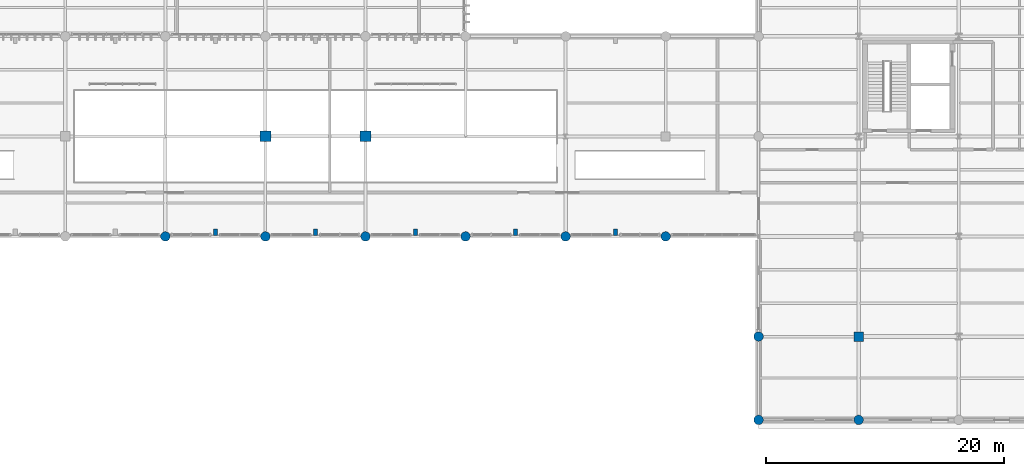
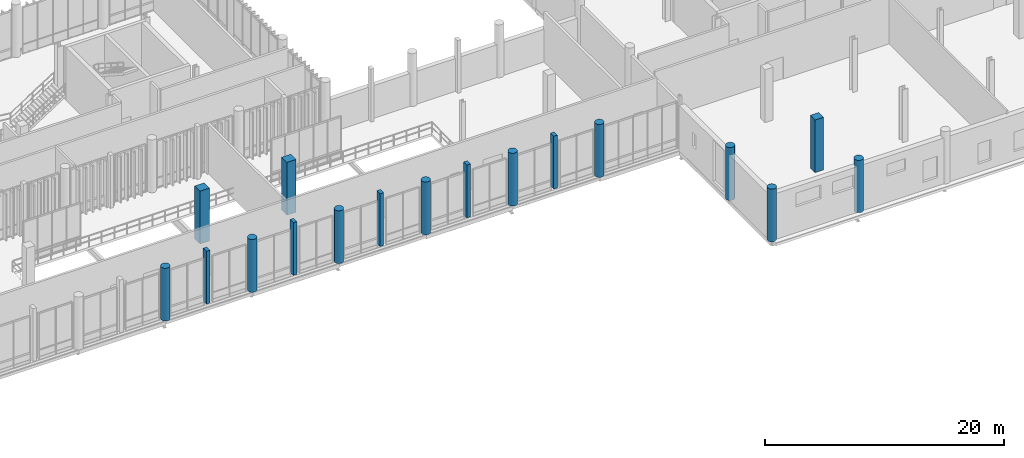
# One storey, part 5 of 128: 17 columns.
"""IFC4 building model written with IfcOpenShell, lengths in metres."""

from ifc_helpers import new_model, si_unit, direction, frame, origin_with_axes, origin_2d_with_axis, place, context, subcontext, project, spatial, rectangle, circle, extrude, material, material_profile, profile_set, type_object, element, save


model = new_model("IFC4")

# Units and contexts
model_context = context("Model", 3, precision=1e-05, world=origin_with_axes(), true_north=direction((0.0, 1.0)))
body_context = subcontext(model_context, "Body", "Model", "MODEL_VIEW")
ifc_project = project(units=[si_unit("LENGTHUNIT", "METRE"), si_unit("AREAUNIT", "SQUARE_METRE"), si_unit("VOLUMEUNIT", "CUBIC_METRE"), si_unit("PLANEANGLEUNIT", "RADIAN"), si_unit("MASSUNIT", "GRAM", prefix="KILO"), si_unit("THERMODYNAMICTEMPERATUREUNIT", "KELVIN")], contexts=[model_context])

# Site, building, storey
site_placement = place(None, origin_with_axes())
site = spatial("IfcSite", under=ifc_project, at=site_placement, CompositionType="ELEMENT")
building_placement = place(site_placement, origin_with_axes())
building = spatial("IfcBuilding", under=site, at=building_placement, Name="Montbau Bow Law Courts", CompositionType="ELEMENT")
storey_placement = place(building_placement, frame((0.0, 0.0, 5.4), z_axis=(0.0, 0.0, 1.0), x_axis=(1.0, 0.0, 0.0)))
storey = spatial("IfcBuildingStorey", under=building, at=storey_placement, Name="L01", CompositionType="ELEMENT", Elevation=5.4)

# Columns
ifc_material_1 = material(Name="Concrete CSA A23.1 f'c 40 MPa", Category="concrete")
ifc_material_profile_1 = material_profile(ifc_material_1, rectangle(XDim=0.35, YDim=0.55, at=origin_2d_with_axis()), Name="RC550X350", Category="Main", Priority=0)
ifc_profile_set_1 = profile_set([ifc_material_profile_1], Name="Concrete CSA A23.1 f'c 40 MPa")
column_type_1 = type_object("IfcColumnType", Name="C-PIL-01", PredefinedType="PILASTER", material=ifc_profile_set_1)
for number, where, z_axis, x_axis, name in (
    (1, (76.2, 22.55, 5.4), (0.0, 0.0, 1.0), (1.0, 0.0, 0.0), "PL-L01-S04:pil2_0012"),
    (2, (84.6, 22.55, 5.4), (0.0, 0.0, 1.0), (1.0, 0.0, 0.0), "PL-L01-S05:pil2_0015"),
    (3, (93.0, 22.55, 5.4), (0.0, 0.0, 1.0), (1.0, 0.0, 0.0), "PL-L01-S06:pil2_0018"),
    (4, (101.4, 22.55, 5.4), (0.0, 0.0, 1.0), (1.0, 0.0, 0.0), "PL-L01-S07:pil2_0021"),
    (5, (109.8, 22.55, 5.4), (0.0, 0.0, 1.0), (1.0, 0.0, 0.0), "PL-L01-S08:pil2_0024"),
):
    element("IfcColumn", number, at=place(None, frame(where, z_axis=z_axis, x_axis=x_axis)), inside=storey, type_object=column_type_1, Name=name, PredefinedType="PILASTER", context=body_context, shape_type="SweptSolid", body=[
        extrude(rectangle(XDim=0.35, YDim=0.55, at=origin_2d_with_axis()), origin_with_axes(), (0.0, 0.0, 1.0), 5.4),
    ])
ifc_material_2 = material(Name="Concrete CSA A23.1 f'c 45 MPa", Category="concrete")
ifc_material_profile_2 = material_profile(ifc_material_2, rectangle(XDim=0.9, YDim=0.9, at=origin_2d_with_axis()), Name="RC900X900", Category="Main", Priority=0)
ifc_profile_set_2 = profile_set([ifc_material_profile_2], Name="Concrete CSA A23.1 f'c 45 MPa")
column_type_2 = type_object("IfcColumnType", Name="C-RC-01", PredefinedType="COLUMN", material=ifc_profile_set_2)
for number, where, z_axis, x_axis, name in (
    (6, (80.4, 30.6, 5.4), (0.0, 0.0, 1.0), (1.0, 0.0, 0.0), "C-L01-S0417:col2_0417"),
    (7, (88.8, 30.6, 5.4), (0.0, 0.0, 1.0), (1.0, 0.0, 0.0), "C-L01-S0423:col2_0423"),
):
    element("IfcColumn", number, at=place(None, frame(where, z_axis=z_axis, x_axis=x_axis)), inside=storey, type_object=column_type_2, Name=name, PredefinedType="COLUMN", context=body_context, shape_type="SweptSolid", body=[
        extrude(rectangle(XDim=0.9, YDim=0.9, at=origin_2d_with_axis()), origin_with_axes(), (0.0, 0.0, 1.0), 5.4),
    ])
ifc_material_profile_3 = material_profile(ifc_material_2, rectangle(XDim=0.8, YDim=0.8, at=origin_2d_with_axis()), Name="RC800X800", Category="Main", Priority=0)
ifc_profile_set_3 = profile_set([ifc_material_profile_3], Name="Concrete CSA A23.1 f'c 45 MPa")
column_type_3 = type_object("IfcColumnType", Name="C-RC-02", PredefinedType="COLUMN", material=ifc_profile_set_3)
column_placement = place(None, frame((130.2, 13.8, 5.4), z_axis=(0.0, 0.0, 1.0), x_axis=(1.0, 0.0, 0.0)))
element("IfcColumn", 8, at=column_placement, inside=storey, type_object=column_type_3, Name="C-L01-S0448:col2_0448", PredefinedType="COLUMN", context=body_context, shape_type="SweptSolid", body=[
    extrude(rectangle(XDim=0.8, YDim=0.8, at=origin_2d_with_axis()), origin_with_axes(), (0.0, 0.0, 1.0), 5.4),
])
ifc_material_profile_4 = material_profile(ifc_material_1, circle(Radius=0.4, at=origin_2d_with_axis()), Name="RC800D", Category="Main", Priority=0)
ifc_profile_set_4 = profile_set([ifc_material_profile_4], Name="Concrete CSA A23.1 f'c 40 MPa")
column_type_4 = type_object("IfcColumnType", Name="C-RC-07", PredefinedType="COLUMN", material=ifc_profile_set_4)
for number, where, z_axis, x_axis, name in (
    (9, (72.0, 22.2, 5.4), (0.0, 0.0, 1.0), (1.0, 0.0, 0.0), "C-L01-S0411:col2_0411"),
    (10, (80.4, 22.2, 5.4), (0.0, 0.0, 1.0), (1.0, 0.0, 0.0), "C-L01-S0416:col2_0416"),
    (11, (88.8, 22.2, 5.4), (0.0, 0.0, 1.0), (1.0, 0.0, 0.0), "C-L01-S0422:col2_0422"),
    (12, (97.2, 22.2, 5.4), (0.0, 0.0, 1.0), (1.0, 0.0, 0.0), "C-L01-S0428:col2_0428"),
    (13, (105.6, 22.2, 5.4), (0.0, 0.0, 1.0), (1.0, 0.0, 0.0), "C-L01-S0433:col2_0433"),
    (14, (114.0, 22.2, 5.4), (0.0, 0.0, 1.0), (1.0, 0.0, 0.0), "C-L01-S0436:col2_0436"),
    (15, (121.8, 6.8, 5.4), (0.0, 0.0, 1.0), (1.0, 0.0, 0.0), "C-L01-S0439:col2_0439"),
    (16, (121.8, 13.8, 5.4), (0.0, 0.0, 1.0), (1.0, 0.0, 0.0), "C-L01-S0440:col2_0440"),
    (17, (130.2, 6.8, 5.4), (0.0, 0.0, 1.0), (1.0, 0.0, 0.0), "C-L01-S0447:col2_0447"),
):
    element("IfcColumn", number, at=place(None, frame(where, z_axis=z_axis, x_axis=x_axis)), inside=storey, type_object=column_type_4, Name=name, PredefinedType="COLUMN", context=body_context, shape_type="SweptSolid", body=[
        extrude(circle(Radius=0.4, at=origin_2d_with_axis()), origin_with_axes(), (0.0, 0.0, 1.0), 5.4),
    ])

save(model, "model.ifc")
